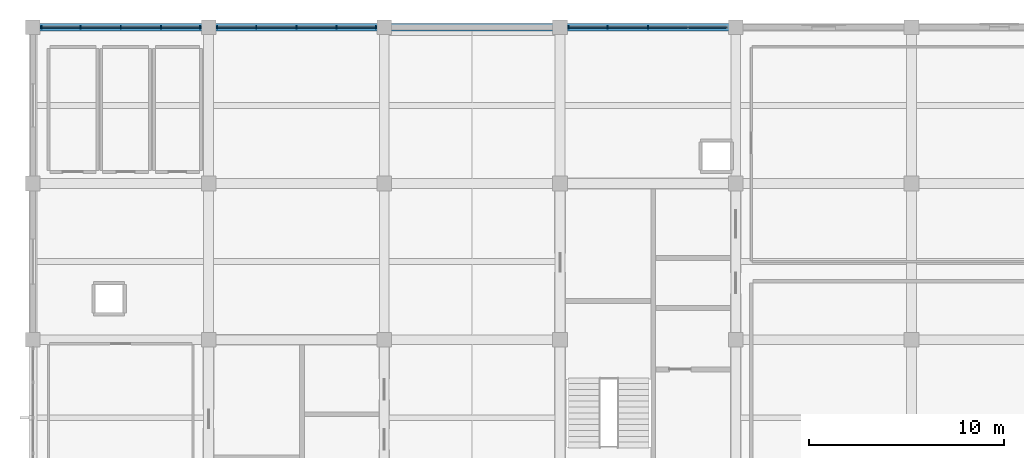
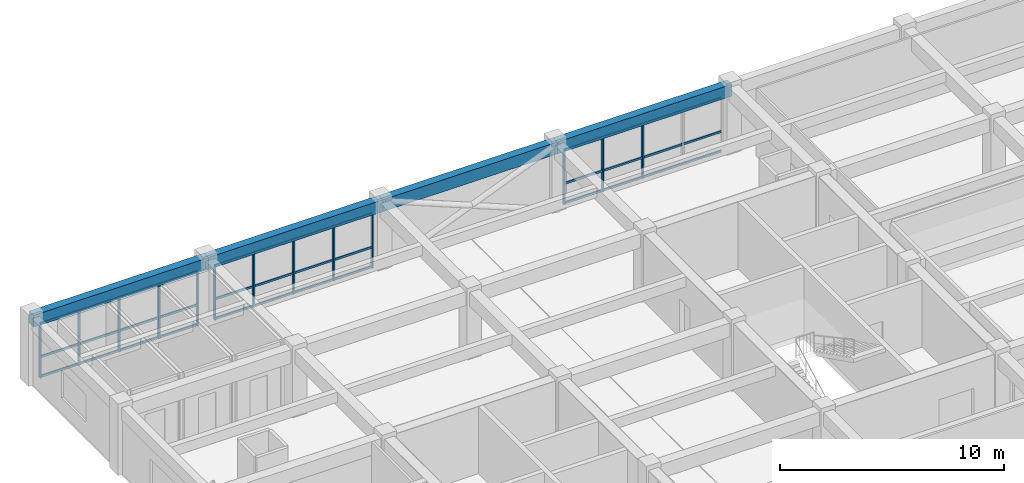
# One storey, part 8 of 15: 22 members, 4 beams, 3 elements without a shape of their own.
"""IFC4 building model written with IfcOpenShell, lengths in metres."""

import ifcopenshell
import ifcopenshell.guid

model = None  # the IFC model being written
_history = None  # IfcOwnerHistory: only IFC2X3 demands one
_inside = {}  # id of a spatial element -> (the spatial element, [elements in it])
_under = {}  # id of a project, library or spatial element -> (it, [spatial elements below it])
_declared = {}  # id of a project -> (the project, [libraries it declares])
_typed = {}  # id of a type object -> (the type object, [elements of that type])
_made_of = {}  # id of a material, layer set ... -> (it, [elements and type objects made of it])


def new_model(schema):
    """Start an empty IFC model of exactly this schema.

    Asked for "IFC4X3", IfcOpenShell would pick the latest addendum, in which some entities
    have other attributes; the version numbers below select the first issue.
    IFC2X3 requires an IfcOwnerHistory on every rooted entity: one is made here for all.
    """
    global model, _history
    if schema == "IFC4X3":
        model = ifcopenshell.file(schema_version=(4, 3, 0, 0))
    else:
        model = ifcopenshell.file(schema=schema)
    _inside.clear()
    _under.clear()
    _declared.clear()
    _typed.clear()
    _made_of.clear()
    _history = None
    if model.schema == "IFC2X3":
        org = make("IfcOrganization", Name="unknown")
        user = make(
            "IfcPersonAndOrganization",
            ThePerson=make("IfcPerson", FamilyName="unknown"),
            TheOrganization=org,
        )
        app = make(
            "IfcApplication",
            ApplicationDeveloper=org,
            Version="unknown",
            ApplicationFullName="unknown",
            ApplicationIdentifier="unknown",
        )
        _history = make(
            "IfcOwnerHistory",
            OwningUser=user,
            OwningApplication=app,
            ChangeAction="ADDED",
            CreationDate=0,
        )
    return model


def make(cls, **values):
    """One entity of the class cls with the attributes given. An attribute that is None is left unset."""
    return model.create_entity(
        cls, **{name: value for name, value in values.items() if value is not None}
    )


def rooted(cls, **values):
    """An entity with a GlobalId (a new one), such as an element, a storey or a relation."""
    return make(cls, GlobalId=ifcopenshell.guid.new(), OwnerHistory=_history, **values)


def si_unit(unit_type, name, prefix=None):
    """IfcSIUnit, for example si_unit("LENGTHUNIT", "METRE", prefix="MILLI")."""
    return make("IfcSIUnit", UnitType=unit_type, Prefix=prefix, Name=name)


def assignment(units):
    """IfcUnitAssignment: the units of a project."""
    return None if units is None else make("IfcUnitAssignment", Units=units)


def point(xyz):
    """IfcCartesianPoint."""
    return None if xyz is None else make("IfcCartesianPoint", Coordinates=xyz)


def direction(xyz):
    """IfcDirection."""
    return None if xyz is None else make("IfcDirection", DirectionRatios=xyz)


def frame(location, z_axis=None, x_axis=None):
    """IfcAxis2Placement3D, a coordinate frame: its origin and axes. An axis left out is left unset."""
    return make(
        "IfcAxis2Placement3D",
        Location=point(location),
        Axis=direction(z_axis),
        RefDirection=direction(x_axis),
    )


def frame_2d(location, x_axis=None):
    """IfcAxis2Placement2D, a coordinate frame in the plane: its origin and x axis."""
    return make(
        "IfcAxis2Placement2D", Location=point(location), RefDirection=direction(x_axis)
    )


def origin():
    """The frame at (0, 0, 0) with its axes left unset."""
    return frame((0.0, 0.0, 0.0))


def origin_2d():
    """The frame at (0, 0) in the plane with its x axis left unset."""
    return frame_2d((0.0, 0.0))


def place(relative_to, where):
    """IfcLocalPlacement: puts the frame where relative to a parent placement (None: the world)."""
    return make(
        "IfcLocalPlacement", PlacementRelTo=relative_to, RelativePlacement=where
    )


def context(
    kind, dimensions, precision=None, world=None, true_north=None, identifier=None
):
    """IfcGeometricRepresentationContext, for example the 3D "Model" context."""
    return make(
        "IfcGeometricRepresentationContext",
        ContextIdentifier=identifier,
        ContextType=kind,
        CoordinateSpaceDimension=dimensions,
        Precision=precision,
        WorldCoordinateSystem=world,
        TrueNorth=true_north,
    )


def subcontext(parent, identifier, kind, view, scale=None):
    """IfcGeometricRepresentationSubContext, for example "Body" below "Model"."""
    return make(
        "IfcGeometricRepresentationSubContext",
        ContextIdentifier=identifier,
        ContextType=kind,
        ParentContext=parent,
        TargetScale=scale,
        TargetView=view,
    )


def project(units=None, contexts=None):
    """IfcProject with its units and contexts."""
    return rooted(
        "IfcProject",
        Name="project",
        RepresentationContexts=contexts,
        UnitsInContext=assignment(units),
    )


def spatial(cls, under=None, at=None, **own):
    """A site, building, storey or space (cls), placed at a placement, below another one or the project."""
    s = rooted(cls, ObjectPlacement=at, **own)
    if under is not None:
        _under.setdefault(under.id(), (under, []))[1].append(s)
    return s


def profile(cls, at=None, kind="AREA", **sizes):
    """A parametric profile (cls). Its sizes go by their IFC names, for example OverallWidth=200.0."""
    return make(cls, ProfileType=kind, Position=at, **sizes)


def rectangle(**sizes):
    """IfcRectangleProfileDef."""
    return profile("IfcRectangleProfileDef", **sizes)


def extrude(swept, where, along, depth):
    """IfcExtrudedAreaSolid: the profile swept, set in the frame where, extruded along a direction by depth."""
    return make(
        "IfcExtrudedAreaSolid",
        SweptArea=swept,
        Position=where,
        ExtrudedDirection=direction(along),
        Depth=depth,
    )


def shape(context_of_items, identifier, shape_type, items):
    """IfcShapeRepresentation: the items that make up one representation, for example the "Body"."""
    return make(
        "IfcShapeRepresentation",
        ContextOfItems=context_of_items,
        RepresentationIdentifier=identifier,
        RepresentationType=shape_type,
        Items=items,
    )


def material(Name=None, Category=None):
    """IfcMaterial."""
    return make("IfcMaterial", Name=Name, Category=Category)


def material_profile(
    of_material, cross_section, Name=None, Category=None, Priority=None
):
    """IfcMaterialProfile: a cross section and its material."""
    return make(
        "IfcMaterialProfile",
        Name=Name,
        Material=of_material,
        Profile=cross_section,
        Priority=Priority,
        Category=Category,
    )


def profile_set(profiles, Name=None, composite=None):
    """IfcMaterialProfileSet."""
    return make(
        "IfcMaterialProfileSet",
        Name=Name,
        MaterialProfiles=profiles,
        CompositeProfile=composite,
    )


def made_of(thing, what):
    """Note that an element or type object is made of a material, layer set ...; save() writes the relation."""
    if what is not None:
        _made_of.setdefault(what.id(), (what, []))[1].append(thing)
    return thing


def type_object(cls, material=None, **own):
    """A type object (cls), such as IfcWallType, which elements share."""
    return made_of(rooted(cls, **own), material)


def element(
    cls,
    number,
    at=None,
    inside=None,
    cuts=None,
    type_object=None,
    material=None,
    context=None,
    identifier="Body",
    shape_type=None,
    held_by="IfcProductDefinitionShape",
    body=None,
    shapes=None,
    **own,
):
    """One element of the class cls, such as IfcWall. Its Tag is "e" and its number.

    at: its placement. inside: the storey or other place that contains it. cuts: it is an
    opening in that element (IfcRelVoidsElement). A single representation is given by context,
    identifier, shape_type and body (its items); several are given by shapes. held_by: the class
    of the entity that holds the representations. save() writes the other relations.
    """
    e = rooted(cls, Tag="e%d" % number, ObjectPlacement=at, **own)
    if body is not None:
        shapes = [shape(context, identifier, shape_type, body)]
    if shapes is not None:
        e.Representation = make(held_by, Representations=shapes)
    if inside is not None:
        _inside.setdefault(inside.id(), (inside, []))[1].append(e)
    if cuts is not None:
        rooted(
            "IfcRelVoidsElement", RelatingBuildingElement=cuts, RelatedOpeningElement=e
        )
    if type_object is not None:
        _typed.setdefault(type_object.id(), (type_object, []))[1].append(e)
    return made_of(e, material)


def aggregate(whole, parts):
    """IfcRelAggregates: a whole, such as a stair, and the parts it consists of."""
    return rooted("IfcRelAggregates", RelatingObject=whole, RelatedObjects=parts)


def save(model, path):
    """Write the relations noted so far, then the file.

    IfcRelAggregates (storeys below a building ...), IfcRelContainedInSpatialStructure (elements
    in a storey), IfcRelDefinesByType, IfcRelAssociatesMaterial and IfcRelDeclares: one each for
    every whole, place, type object, material and project.
    """
    for whole, parts in _under.values():
        aggregate(whole, parts)
    for where, things in _inside.values():
        rooted(
            "IfcRelContainedInSpatialStructure",
            RelatedElements=things,
            RelatingStructure=where,
        )
    for kind, things in _typed.values():
        rooted("IfcRelDefinesByType", RelatedObjects=things, RelatingType=kind)
    for what, things in _made_of.values():
        rooted("IfcRelAssociatesMaterial", RelatedObjects=things, RelatingMaterial=what)
    for by, libraries in _declared.values():
        rooted("IfcRelDeclares", RelatingContext=by, RelatedDefinitions=libraries)
    model.write(path)


model = new_model("IFC4")

# Units and contexts
model_context = context("Model", 3, precision=1e-05, world=origin(), true_north=direction((0.0, 1.0)))
body_context = subcontext(model_context, "Body", "Model", "MODEL_VIEW")
ifc_project = project(units=[si_unit("LENGTHUNIT", "METRE"), si_unit("AREAUNIT", "SQUARE_METRE"), si_unit("VOLUMEUNIT", "CUBIC_METRE"), si_unit("PLANEANGLEUNIT", "RADIAN"), si_unit("MASSUNIT", "GRAM", prefix="KILO")], contexts=[model_context])

# Site, building, storey
site_placement = place(None, origin())
site = spatial("IfcSite", under=ifc_project, at=site_placement, CompositionType="ELEMENT")
building_placement = place(site_placement, origin())
building = spatial("IfcBuilding", under=site, at=building_placement, Name="Zaverband Oceanarium and Marine Research Institute", CompositionType="ELEMENT")
storey_placement = place(building_placement, frame((0.0, 0.0, 53.10009765625)))
storey = spatial("IfcBuildingStorey", under=building, at=storey_placement, Name="L13", CompositionType="ELEMENT", Elevation=53.10009765625)

# Curtain wall, members
ifc_material_1 = material(Name="Thermally broken anodized aluminium and solar-control glass", Category="aluminium")
curtain_wall_type = type_object("IfcCurtainWallType", Name="CW-UNIT-1800", PredefinedType="NOTDEFINED", material=ifc_material_1)
curtain_wall_1_placement = place(storey_placement, origin())
curtain_wall_1 = element("IfcCurtainWall", 1, at=curtain_wall_1_placement, inside=storey, type_object=curtain_wall_type, Name="Unitised glazed curtain wall CW-142", PredefinedType="NOTDEFINED")
ifc_material_2 = material(Name="Thermally broken anodized aluminium", Category="aluminium")
ifc_material_profile_1 = material_profile(ifc_material_2, rectangle(XDim=0.070068359375, YDim=0.14990234375, at=origin_2d()), Name="AL-MUL-70x150")
ifc_profile_set_1 = profile_set([ifc_material_profile_1], Name="Thermally broken anodized aluminium")
member_type_1 = type_object("IfcMemberType", Name="MUL-70x150", PredefinedType="MULLION", material=ifc_profile_set_1)
member_1_placement = place(storey_placement, frame((9.43994140625, 112.0, 0.0), z_axis=(0.0, 0.0, 1.0), x_axis=(1.0, 0.0, 0.0)))
member_1 = element("IfcMember", 2, at=member_1_placement, type_object=member_type_1, Name="Curtain wall vertical mullion MUL-70x150", PredefinedType="MULLION", context=body_context, shape_type="SweptSolid", body=[
    extrude(rectangle(XDim=0.070068359375, YDim=0.14990234375, at=origin_2d()), origin(), (0.0, 0.0, 1.0), 2.97998046875),
])
member_2_placement = place(storey_placement, frame((11.43994140625, 112.0, 0.0), z_axis=(0.0, 0.0, 1.0), x_axis=(1.0, 0.0, 0.0)))
member_2 = element("IfcMember", 3, at=member_2_placement, type_object=member_type_1, Name="Curtain wall vertical mullion MUL-70x150", PredefinedType="MULLION", context=body_context, shape_type="SweptSolid", body=[
    extrude(rectangle(XDim=0.070068359375, YDim=0.14990234375, at=origin_2d()), origin(), (0.0, 0.0, 1.0), 2.97998046875),
])
member_3_placement = place(storey_placement, frame((13.5, 112.0, 0.0), z_axis=(0.0, 0.0, 1.0), x_axis=(1.0, 0.0, 0.0)))
member_3 = element("IfcMember", 4, at=member_3_placement, type_object=member_type_1, Name="Curtain wall vertical mullion MUL-70x150", PredefinedType="MULLION", context=body_context, shape_type="SweptSolid", body=[
    extrude(rectangle(XDim=0.070068359375, YDim=0.14990234375, at=origin_2d()), origin(), (0.0, 0.0, 1.0), 2.97998046875),
])
member_4_placement = place(storey_placement, frame((15.56005859375, 112.0, 0.0), z_axis=(0.0, 0.0, 1.0), x_axis=(1.0, 0.0, 0.0)))
member_4 = element("IfcMember", 5, at=member_4_placement, type_object=member_type_1, Name="Curtain wall vertical mullion MUL-70x150", PredefinedType="MULLION", context=body_context, shape_type="SweptSolid", body=[
    extrude(rectangle(XDim=0.070068359375, YDim=0.14990234375, at=origin_2d()), origin(), (0.0, 0.0, 1.0), 2.97998046875),
])
member_5_placement = place(storey_placement, frame((17.56005859375, 112.0, 0.0), z_axis=(0.0, 0.0, 1.0), x_axis=(1.0, 0.0, 0.0)))
member_5 = element("IfcMember", 6, at=member_5_placement, type_object=member_type_1, Name="Curtain wall vertical mullion MUL-70x150", PredefinedType="MULLION", context=body_context, shape_type="SweptSolid", body=[
    extrude(rectangle(XDim=0.070068359375, YDim=0.14990234375, at=origin_2d()), origin(), (0.0, 0.0, 1.0), 2.97998046875),
])

curtain_wall_2_placement = place(storey_placement, origin())
curtain_wall_2 = element("IfcCurtainWall", 7, at=curtain_wall_2_placement, inside=storey, type_object=curtain_wall_type, Name="Unitised glazed curtain wall CW-143", PredefinedType="NOTDEFINED")
member_6_placement = place(storey_placement, frame((18.43994140625, 112.0, 0.0), z_axis=(0.0, 0.0, 1.0), x_axis=(1.0, 0.0, 0.0)))
member_6 = element("IfcMember", 8, at=member_6_placement, type_object=member_type_1, Name="Curtain wall vertical mullion MUL-70x150", PredefinedType="MULLION", context=body_context, shape_type="SweptSolid", body=[
    extrude(rectangle(XDim=0.070068359375, YDim=0.14990234375, at=origin_2d()), origin(), (0.0, 0.0, 1.0), 2.97998046875),
])
member_7_placement = place(storey_placement, frame((20.43994140625, 112.0, 0.0), z_axis=(0.0, 0.0, 1.0), x_axis=(1.0, 0.0, 0.0)))
member_7 = element("IfcMember", 9, at=member_7_placement, type_object=member_type_1, Name="Curtain wall vertical mullion MUL-70x150", PredefinedType="MULLION", context=body_context, shape_type="SweptSolid", body=[
    extrude(rectangle(XDim=0.070068359375, YDim=0.14990234375, at=origin_2d()), origin(), (0.0, 0.0, 1.0), 2.97998046875),
])
member_8_placement = place(storey_placement, frame((22.5, 112.0, 0.0), z_axis=(0.0, 0.0, 1.0), x_axis=(1.0, 0.0, 0.0)))
member_8 = element("IfcMember", 10, at=member_8_placement, type_object=member_type_1, Name="Curtain wall vertical mullion MUL-70x150", PredefinedType="MULLION", context=body_context, shape_type="SweptSolid", body=[
    extrude(rectangle(XDim=0.070068359375, YDim=0.14990234375, at=origin_2d()), origin(), (0.0, 0.0, 1.0), 2.97998046875),
])
member_9_placement = place(storey_placement, frame((24.56005859375, 112.0, 0.0), z_axis=(0.0, 0.0, 1.0), x_axis=(1.0, 0.0, 0.0)))
member_9 = element("IfcMember", 11, at=member_9_placement, type_object=member_type_1, Name="Curtain wall vertical mullion MUL-70x150", PredefinedType="MULLION", context=body_context, shape_type="SweptSolid", body=[
    extrude(rectangle(XDim=0.070068359375, YDim=0.14990234375, at=origin_2d()), origin(), (0.0, 0.0, 1.0), 2.97998046875),
])
member_10_placement = place(storey_placement, frame((26.56005859375, 112.0, 0.0), z_axis=(0.0, 0.0, 1.0), x_axis=(1.0, 0.0, 0.0)))
member_10 = element("IfcMember", 12, at=member_10_placement, type_object=member_type_1, Name="Curtain wall vertical mullion MUL-70x150", PredefinedType="MULLION", context=body_context, shape_type="SweptSolid", body=[
    extrude(rectangle(XDim=0.070068359375, YDim=0.14990234375, at=origin_2d()), origin(), (0.0, 0.0, 1.0), 2.97998046875),
])

curtain_wall_3_placement = place(storey_placement, origin())
curtain_wall_3 = element("IfcCurtainWall", 13, at=curtain_wall_3_placement, inside=storey, type_object=curtain_wall_type, Name="Unitised glazed curtain wall CW-144", PredefinedType="NOTDEFINED")
member_11_placement = place(storey_placement, frame((36.43994140625, 112.0, 0.0), z_axis=(0.0, 0.0, 1.0), x_axis=(1.0, 0.0, 0.0)))
member_11 = element("IfcMember", 14, at=member_11_placement, type_object=member_type_1, Name="Curtain wall vertical mullion MUL-70x150", PredefinedType="MULLION", context=body_context, shape_type="SweptSolid", body=[
    extrude(rectangle(XDim=0.070068359375, YDim=0.14990234375, at=origin_2d()), origin(), (0.0, 0.0, 1.0), 2.97998046875),
])
member_12_placement = place(storey_placement, frame((38.43994140625, 112.0, 0.0), z_axis=(0.0, 0.0, 1.0), x_axis=(1.0, 0.0, 0.0)))
member_12 = element("IfcMember", 15, at=member_12_placement, type_object=member_type_1, Name="Curtain wall vertical mullion MUL-70x150", PredefinedType="MULLION", context=body_context, shape_type="SweptSolid", body=[
    extrude(rectangle(XDim=0.070068359375, YDim=0.14990234375, at=origin_2d()), origin(), (0.0, 0.0, 1.0), 2.97998046875),
])
member_13_placement = place(storey_placement, frame((40.5, 112.0, 0.0), z_axis=(0.0, 0.0, 1.0), x_axis=(1.0, 0.0, 0.0)))
member_13 = element("IfcMember", 16, at=member_13_placement, type_object=member_type_1, Name="Curtain wall vertical mullion MUL-70x150", PredefinedType="MULLION", context=body_context, shape_type="SweptSolid", body=[
    extrude(rectangle(XDim=0.070068359375, YDim=0.14990234375, at=origin_2d()), origin(), (0.0, 0.0, 1.0), 2.97998046875),
])

# Beams
ifc_material_3 = material(Name="Concrete C40/50", Category="concrete")
ifc_material_profile_2 = material_profile(ifc_material_3, rectangle(XDim=0.39990234375, YDim=0.64990234375, at=origin_2d()), Name="RC400x650")
ifc_profile_set_2 = profile_set([ifc_material_profile_2], Name="Concrete C40/50")
beam_type = type_object("IfcBeamType", Name="SPN-400x650", PredefinedType="SPANDREL", material=ifc_profile_set_2)
for number, where, z_axis, x_axis, name in (
    (17, (9.0, 112.0, 3.324951171875), (1.0, 0.0, 0.0), (0.0, 1.0, 0.0), "Perimeter spandrel beam SPN-400x650"),
    (18, (18.0, 112.0, 3.324951171875), (1.0, 0.0, 0.0), (0.0, 1.0, 0.0), "Perimeter spandrel beam SPN-400x650"),
    (19, (27.0, 112.0, 3.324951171875), (1.0, 0.0, 0.0), (0.0, 1.0, 0.0), "Perimeter spandrel beam SPN-400x650"),
    (20, (36.0, 112.0, 3.324951171875), (1.0, 0.0, 0.0), (0.0, 1.0, 0.0), "Perimeter spandrel beam SPN-400x650"),
):
    element("IfcBeam", number, at=place(storey_placement, frame(where, z_axis=z_axis, x_axis=x_axis)), inside=storey, type_object=beam_type, Name=name, PredefinedType="SPANDREL", context=body_context, shape_type="SweptSolid", body=[
        extrude(rectangle(XDim=0.39990234375, YDim=0.64990234375, at=origin_2d()), origin(), (0.0, 0.0, 1.0), 9.0),
    ])

# Member
ifc_material_profile_3 = material_profile(ifc_material_2, rectangle(XDim=0.070068359375, YDim=0.114990234375, at=origin_2d()), Name="AL-TRN-70x115")
ifc_profile_set_3 = profile_set([ifc_material_profile_3], Name="Thermally broken anodized aluminium")
member_type_2 = type_object("IfcMemberType", Name="TRN-70x115", PredefinedType="USERDEFINED", material=ifc_profile_set_3)
member_14_placement = place(storey_placement, frame((9.43994140625, 112.0, 0.0498046875), z_axis=(1.0, 0.0, 0.0), x_axis=(0.0, 1.0, 0.0)))
member_14 = element("IfcMember", 21, at=member_14_placement, type_object=member_type_2, Name="Curtain wall horizontal transom TRN-70x115", ObjectType="TRANSOM", PredefinedType="USERDEFINED", context=body_context, shape_type="SweptSolid", body=[
    extrude(rectangle(XDim=0.070068359375, YDim=0.114990234375, at=origin_2d()), origin(), (0.0, 0.0, 1.0), 8.1201171875),
])

member_15_placement = place(storey_placement, frame((9.43994140625, 112.0, 1.122802734375), z_axis=(1.0, 0.0, 0.0), x_axis=(0.0, 1.0, 0.0)))
member_15 = element("IfcMember", 22, at=member_15_placement, type_object=member_type_2, Name="Curtain wall horizontal transom TRN-70x115", ObjectType="TRANSOM", PredefinedType="USERDEFINED", context=body_context, shape_type="SweptSolid", body=[
    extrude(rectangle(XDim=0.070068359375, YDim=0.114990234375, at=origin_2d()), origin(), (0.0, 0.0, 1.0), 8.1201171875),
])

member_16_placement = place(storey_placement, frame((9.43994140625, 112.0, 2.929931640625), z_axis=(1.0, 0.0, 0.0), x_axis=(0.0, 1.0, 0.0)))
member_16 = element("IfcMember", 23, at=member_16_placement, type_object=member_type_2, Name="Curtain wall horizontal transom TRN-70x115", ObjectType="TRANSOM", PredefinedType="USERDEFINED", context=body_context, shape_type="SweptSolid", body=[
    extrude(rectangle(XDim=0.070068359375, YDim=0.114990234375, at=origin_2d()), origin(), (0.0, 0.0, 1.0), 8.1201171875),
])

aggregate(curtain_wall_1, [member_1, member_2, member_3, member_4, member_5, member_14, member_15, member_16])

member_17_placement = place(storey_placement, frame((18.43994140625, 112.0, 0.0498046875), z_axis=(1.0, 0.0, 0.0), x_axis=(0.0, 1.0, 0.0)))
member_17 = element("IfcMember", 24, at=member_17_placement, type_object=member_type_2, Name="Curtain wall horizontal transom TRN-70x115", ObjectType="TRANSOM", PredefinedType="USERDEFINED", context=body_context, shape_type="SweptSolid", body=[
    extrude(rectangle(XDim=0.070068359375, YDim=0.114990234375, at=origin_2d()), origin(), (0.0, 0.0, 1.0), 8.1201171875),
])

member_18_placement = place(storey_placement, frame((18.43994140625, 112.0, 1.122802734375), z_axis=(1.0, 0.0, 0.0), x_axis=(0.0, 1.0, 0.0)))
member_18 = element("IfcMember", 25, at=member_18_placement, type_object=member_type_2, Name="Curtain wall horizontal transom TRN-70x115", ObjectType="TRANSOM", PredefinedType="USERDEFINED", context=body_context, shape_type="SweptSolid", body=[
    extrude(rectangle(XDim=0.070068359375, YDim=0.114990234375, at=origin_2d()), origin(), (0.0, 0.0, 1.0), 8.1201171875),
])

member_19_placement = place(storey_placement, frame((18.43994140625, 112.0, 2.929931640625), z_axis=(1.0, 0.0, 0.0), x_axis=(0.0, 1.0, 0.0)))
member_19 = element("IfcMember", 26, at=member_19_placement, type_object=member_type_2, Name="Curtain wall horizontal transom TRN-70x115", ObjectType="TRANSOM", PredefinedType="USERDEFINED", context=body_context, shape_type="SweptSolid", body=[
    extrude(rectangle(XDim=0.070068359375, YDim=0.114990234375, at=origin_2d()), origin(), (0.0, 0.0, 1.0), 8.1201171875),
])

aggregate(curtain_wall_2, [member_6, member_7, member_8, member_9, member_10, member_17, member_18, member_19])

member_20_placement = place(storey_placement, frame((36.43994140625, 112.0, 0.0498046875), z_axis=(1.0, 0.0, 0.0), x_axis=(0.0, 1.0, 0.0)))
member_20 = element("IfcMember", 27, at=member_20_placement, type_object=member_type_2, Name="Curtain wall horizontal transom TRN-70x115", ObjectType="TRANSOM", PredefinedType="USERDEFINED", context=body_context, shape_type="SweptSolid", body=[
    extrude(rectangle(XDim=0.070068359375, YDim=0.114990234375, at=origin_2d()), origin(), (0.0, 0.0, 1.0), 8.1201171875),
])

member_21_placement = place(storey_placement, frame((36.43994140625, 112.0, 1.122802734375), z_axis=(1.0, 0.0, 0.0), x_axis=(0.0, 1.0, 0.0)))
member_21 = element("IfcMember", 28, at=member_21_placement, type_object=member_type_2, Name="Curtain wall horizontal transom TRN-70x115", ObjectType="TRANSOM", PredefinedType="USERDEFINED", context=body_context, shape_type="SweptSolid", body=[
    extrude(rectangle(XDim=0.070068359375, YDim=0.114990234375, at=origin_2d()), origin(), (0.0, 0.0, 1.0), 8.1201171875),
])

member_22_placement = place(storey_placement, frame((36.43994140625, 112.0, 2.929931640625), z_axis=(1.0, 0.0, 0.0), x_axis=(0.0, 1.0, 0.0)))
member_22 = element("IfcMember", 29, at=member_22_placement, type_object=member_type_2, Name="Curtain wall horizontal transom TRN-70x115", ObjectType="TRANSOM", PredefinedType="USERDEFINED", context=body_context, shape_type="SweptSolid", body=[
    extrude(rectangle(XDim=0.070068359375, YDim=0.114990234375, at=origin_2d()), origin(), (0.0, 0.0, 1.0), 8.1201171875),
])

aggregate(curtain_wall_3, [member_11, member_12, member_13, member_20, member_21, member_22])

save(model, "model.ifc")
